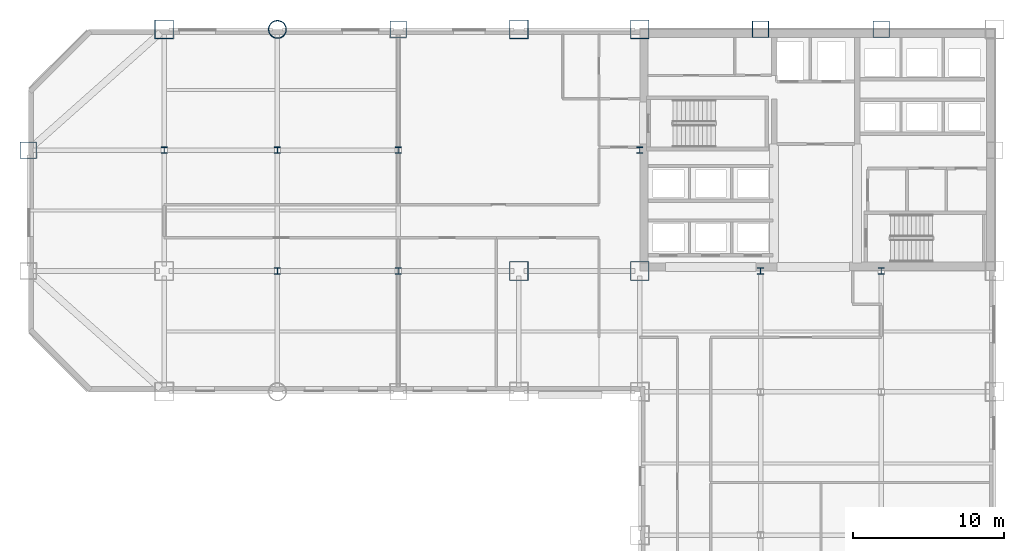
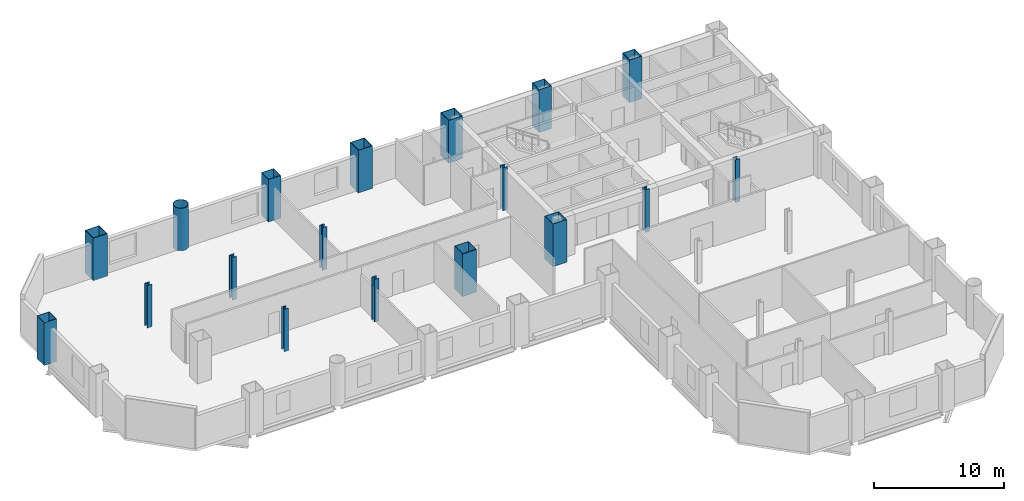
# One storey, part 2 of 9: 18 columns.
"""IFC4 building model written with IfcOpenShell, lengths in metres."""

from ifc_helpers import new_model, si_unit, direction, frame, origin, origin_2d, place, context, subcontext, project, spatial, hollow_rectangle, hollow_circle, i_section, extrude, material, material_profile, profile_set, type_object, element, save


model = new_model("IFC4")

# Units and contexts
model_context = context("Model", 3, precision=1e-05, world=origin(), true_north=direction((0.0, 1.0)))
body_context = subcontext(model_context, "Body", "Model", "MODEL_VIEW")
ifc_project = project(units=[si_unit("LENGTHUNIT", "METRE"), si_unit("AREAUNIT", "SQUARE_METRE"), si_unit("VOLUMEUNIT", "CUBIC_METRE"), si_unit("PLANEANGLEUNIT", "RADIAN"), si_unit("MASSUNIT", "GRAM", prefix="KILO")], contexts=[model_context])

# Site, building, storey
site_placement = place(None, origin())
site = spatial("IfcSite", under=ifc_project, at=site_placement, CompositionType="ELEMENT")
building_placement = place(site_placement, origin())
building = spatial("IfcBuilding", under=site, at=building_placement, Name="Qianrong Seaharbour Tower", CompositionType="ELEMENT")
storey_placement = place(building_placement, frame((0.0, 0.0, 60.199951171875)))
storey = spatial("IfcBuildingStorey", under=building, at=storey_placement, Name="L14", CompositionType="ELEMENT", Elevation=60.199951171875)

# Columns
ifc_material = material(Name="Structural steel SN490B", Category="steel")
ifc_material_profile_1 = material_profile(ifc_material, hollow_rectangle(XDim=1.25, YDim=1.25, WallThickness=0.044921875, at=origin_2d()), Name="BOX1250x1250x45")
ifc_profile_set_1 = profile_set([ifc_material_profile_1], Name="Structural steel SN490B")
column_type_1 = type_object("IfcColumnType", Name="COL-CFT-1250", PredefinedType="COLUMN", material=ifc_profile_set_1)
for number, where, z_axis, x_axis, name in (
    (1, (9.0, 52.0, 0.0), (0.0, 0.0, 1.0), (1.0, 0.0, 0.0), "L14 Column MC-2 at G2/GH"),
    (2, (32.5, 36.0, 0.0), (0.0, 0.0, 1.0), (1.0, 0.0, 0.0), "L14 Column MC-2 at G5/GF"),
    (3, (32.5, 52.0, 0.0), (0.0, 0.0, 1.0), (1.0, 0.0, 0.0), "L14 Column MC-2 at G5/GH"),
    (4, (40.5, 36.0, 0.0), (0.0, 0.0, 1.0), (1.0, 0.0, 0.0), "L14 Column MC-2 at G6/GF"),
    (5, (40.5, 52.0, 0.0), (0.0, 0.0, 1.0), (1.0, 0.0, 0.0), "L14 Column MC-2 at G6/GH"),
):
    element("IfcColumn", number, at=place(storey_placement, frame(where, z_axis=z_axis, x_axis=x_axis)), inside=storey, type_object=column_type_1, Name=name, PredefinedType="COLUMN", context=body_context, shape_type="SweptSolid", body=[
        extrude(hollow_rectangle(XDim=1.25, YDim=1.25, WallThickness=0.044921875, at=origin_2d()), origin(), (0.0, 0.0, 1.0), 4.0),
    ])
ifc_material_profile_2 = material_profile(ifc_material, hollow_circle(Radius=0.60009765625, WallThickness=0.0400390625, at=origin_2d()), Name="CHS1200x40")
ifc_profile_set_2 = profile_set([ifc_material_profile_2], Name="Structural steel SN490B")
column_type_2 = type_object("IfcColumnType", Name="COL-CHS-1200", PredefinedType="COLUMN", material=ifc_profile_set_2)
column_placement = place(storey_placement, frame((16.5, 52.0, 0.0), z_axis=(0.0, 0.0, 1.0), x_axis=(1.0, 0.0, 0.0)))
element("IfcColumn", 6, at=column_placement, inside=storey, type_object=column_type_2, Name="L14 Column CC-1 at G3/GH", PredefinedType="COLUMN", context=body_context, shape_type="SweptSolid", body=[
    extrude(hollow_circle(Radius=0.60009765625, WallThickness=0.0400390625, at=origin_2d()), origin(), (0.0, 0.0, 1.0), 4.0),
])
ifc_material_profile_3 = material_profile(ifc_material, i_section(OverallWidth=0.406982421875, OverallDepth=0.427978515625, WebThickness=0.02001953125, FlangeThickness=0.034912109375, FilletRadius=0.02197265625, at=origin_2d()), Name="H428x407x20x35")
ifc_profile_set_3 = profile_set([ifc_material_profile_3], Name="Structural steel SN490B")
column_type_3 = type_object("IfcColumnType", Name="COL-INT-H428", PredefinedType="COLUMN", material=ifc_profile_set_3)
for number, where, z_axis, x_axis, name in (
    (7, (9.0, 44.0, 0.0), (0.0, 0.0, 1.0), (1.0, 0.0, 0.0), "L14 Column IC-2 at G2/GG"),
    (8, (16.5, 36.0, 0.0), (0.0, 0.0, 1.0), (1.0, 0.0, 0.0), "L14 Column IC-2 at G3/GF"),
    (9, (16.5, 44.0, 0.0), (0.0, 0.0, 1.0), (1.0, 0.0, 0.0), "L14 Column IC-2 at G3/GG"),
    (10, (24.5, 36.0, 0.0), (0.0, 0.0, 1.0), (1.0, 0.0, 0.0), "L14 Column IC-2 at G4/GF"),
    (11, (24.5, 44.0, 0.0), (0.0, 0.0, 1.0), (1.0, 0.0, 0.0), "L14 Column IC-2 at G4/GG"),
    (12, (40.5, 44.0, 0.0), (0.0, 0.0, 1.0), (1.0, 0.0, 0.0), "L14 Column IC-2 at G6/GG"),
    (13, (48.5, 36.0, 0.0), (0.0, 0.0, 1.0), (1.0, 0.0, 0.0), "L14 Column IC-2 at G7/GF"),
    (14, (56.5, 36.0, 0.0), (0.0, 0.0, 1.0), (1.0, 0.0, 0.0), "L14 Column IC-2 at G8/GF"),
):
    element("IfcColumn", number, at=place(storey_placement, frame(where, z_axis=z_axis, x_axis=x_axis)), inside=storey, type_object=column_type_3, Name=name, PredefinedType="COLUMN", context=body_context, shape_type="SweptSolid", body=[
        extrude(i_section(OverallWidth=0.406982421875, OverallDepth=0.427978515625, WebThickness=0.02001953125, FlangeThickness=0.034912109375, FilletRadius=0.02197265625, at=origin_2d()), origin(), (0.0, 0.0, 1.0), 4.0),
    ])
ifc_material_profile_4 = material_profile(ifc_material, hollow_rectangle(XDim=1.10009765625, YDim=1.10009765625, WallThickness=0.0400390625, at=origin_2d()), Name="BOX1100x1100x40")
ifc_profile_set_4 = profile_set([ifc_material_profile_4], Name="Structural steel SN490B")
column_type_4 = type_object("IfcColumnType", Name="COL-PER-1100", PredefinedType="COLUMN", material=ifc_profile_set_4)
for number, where, z_axis, x_axis, name in (
    (15, (0.0, 44.0, 0.0), (0.0, 0.0, 1.0), (1.0, 0.0, 0.0), "L14 Column PC-1 at G1/GG"),
    (16, (24.5, 52.0, 0.0), (0.0, 0.0, 1.0), (1.0, 0.0, 0.0), "L14 Column PC-1 at G4/GH"),
    (17, (48.5, 52.0, 0.0), (0.0, 0.0, 1.0), (1.0, 0.0, 0.0), "L14 Column PC-1 at G7/GH"),
    (18, (56.5, 52.0, 0.0), (0.0, 0.0, 1.0), (1.0, 0.0, 0.0), "L14 Column PC-1 at G8/GH"),
):
    element("IfcColumn", number, at=place(storey_placement, frame(where, z_axis=z_axis, x_axis=x_axis)), inside=storey, type_object=column_type_4, Name=name, PredefinedType="COLUMN", context=body_context, shape_type="SweptSolid", body=[
        extrude(hollow_rectangle(XDim=1.10009765625, YDim=1.10009765625, WallThickness=0.0400390625, at=origin_2d()), origin(), (0.0, 0.0, 1.0), 4.0),
    ])

save(model, "model.ifc")
